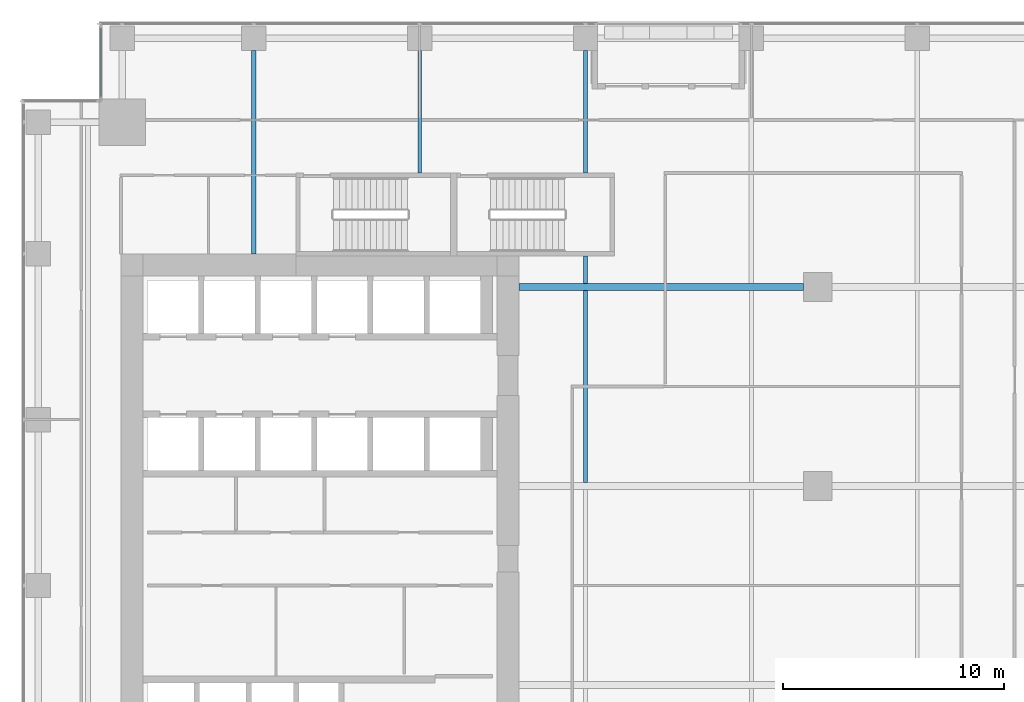
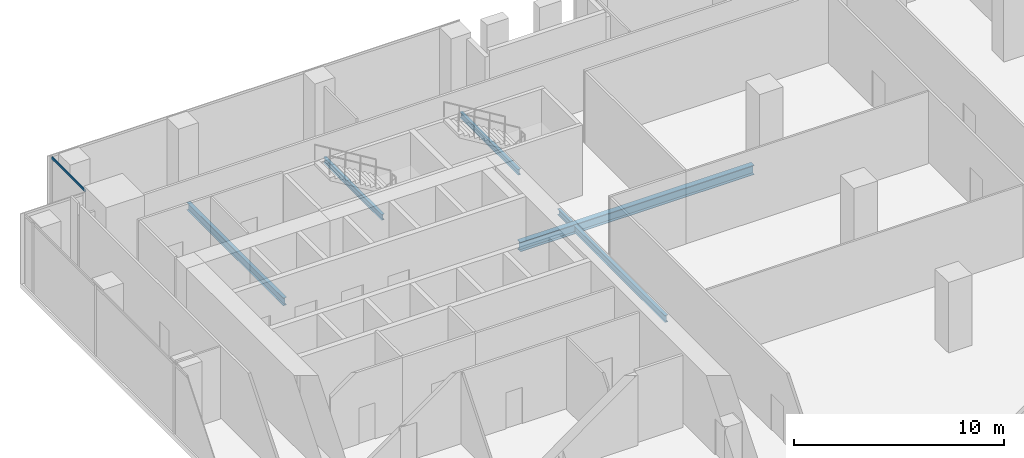
# One storey, part 15 of 33: 6 beams, 1 member, 1 element without a shape of its own.
"""IFC4 building model written with IfcOpenShell, lengths in metres."""

from ifc_helpers import new_model, si_unit, direction, frame, origin, origin_2d, place, context, subcontext, project, spatial, hollow_rectangle, i_section, extrude, source, transform, mapped, material, material_profile, profile_set, type_object, element, aggregate, save


model = new_model("IFC4")

# Units and contexts
model_context = context("Model", 3, precision=1e-05, world=origin(), true_north=direction((0.0, 1.0)))
body_context = subcontext(model_context, "Body", "Model", "MODEL_VIEW")
ifc_project = project(units=[si_unit("LENGTHUNIT", "METRE"), si_unit("AREAUNIT", "SQUARE_METRE"), si_unit("VOLUMEUNIT", "CUBIC_METRE"), si_unit("PLANEANGLEUNIT", "RADIAN"), si_unit("MASSUNIT", "GRAM", prefix="KILO")], contexts=[model_context])

# Site, building, storey
site_placement = place(None, origin())
site = spatial("IfcSite", under=ifc_project, at=site_placement, CompositionType="ELEMENT")
building_placement = place(site_placement, origin())
building = spatial("IfcBuilding", under=site, at=building_placement, Name="Khomas Fold Tower", CompositionType="ELEMENT")
storey_placement = place(building_placement, frame((0.0, 0.0, 149.89990234375)))
storey = spatial("IfcBuildingStorey", under=building, at=storey_placement, Name="L32", CompositionType="ELEMENT", Elevation=149.89990234375)

# Beams
ifc_material_1 = material(Name="Steel S355", Category="steel")
ifc_material_profile_1 = material_profile(ifc_material_1, i_section(OverallWidth=0.179931640625, OverallDepth=0.39990234375, WebThickness=0.008544921875, FlangeThickness=0.013427734375, at=origin_2d()), Name="IPE 400")
ifc_profile_set_1 = profile_set([ifc_material_profile_1], Name="Steel S355")
beam_type_1 = type_object("IfcBeamType", Name="IPE 400 beam JB3", PredefinedType="BEAM", material=ifc_profile_set_1)
shared_shape_1 = source(origin(), body_context, "Body", "SweptSolid", [
    extrude(i_section(OverallWidth=0.179931640625, OverallDepth=0.39990234375, WebThickness=0.008544921875, FlangeThickness=0.013427734375, at=origin_2d()), origin(), (0.0, 0.0, 1.0), 8.7001953125),
])
beam_1_placement = place(storey_placement, frame((27.0, 31.64990234375, -0.5), z_axis=(0.0, 1.0, 0.0), x_axis=(-1.0, 0.0, 0.0)))
element("IfcBeam", 1, at=beam_1_placement, inside=storey, type_object=beam_type_1, Name="JB3", PredefinedType="BEAM", context=body_context, shape_type="MappedRepresentation", body=[
    mapped(shared_shape_1, transform((0.0, 0.0, 0.0))),
])
ifc_material_2 = material(Name="Steel S355", Category="steel")
ifc_material_profile_2 = material_profile(ifc_material_2, i_section(OverallWidth=0.159912109375, OverallDepth=0.330078125, WebThickness=0.007568359375, FlangeThickness=0.011474609375, at=origin_2d()), Name="IPE 330")
ifc_profile_set_2 = profile_set([ifc_material_profile_2], Name="Steel S355")
beam_type_2 = type_object("IfcBeamType", Name="IPE 330 beam JB1", PredefinedType="BEAM", material=ifc_profile_set_2)
shared_shape_2 = source(origin(), body_context, "Body", "SweptSolid", [
    extrude(i_section(OverallWidth=0.159912109375, OverallDepth=0.330078125, WebThickness=0.007568359375, FlangeThickness=0.011474609375, at=origin_2d()), origin(), (0.0, 0.0, 1.0), 1.25),
])
beam_2_placement = place(storey_placement, frame((27.0, 40.64990234375, -0.46484375), z_axis=(0.0, 1.0, 0.0), x_axis=(-1.0, 0.0, 0.0)))
element("IfcBeam", 2, at=beam_2_placement, inside=storey, type_object=beam_type_2, Name="JB1", PredefinedType="BEAM", context=body_context, shape_type="MappedRepresentation", body=[
    mapped(shared_shape_2, transform((0.0, 0.0, 0.0))),
])
ifc_material_3 = material(Name="Steel S355", Category="steel")
ifc_material_profile_3 = material_profile(ifc_material_3, i_section(OverallWidth=0.300048828125, OverallDepth=0.550048828125, WebThickness=0.014892578125, FlangeThickness=0.029052734375, at=origin_2d()), Name="HE 550 B")
ifc_profile_set_3 = profile_set([ifc_material_profile_3], Name="Steel S355")
beam_type_3 = type_object("IfcBeamType", Name="HE 550 B beam GB4", PredefinedType="BEAM", material=ifc_profile_set_3)
shared_shape_3 = source(origin(), body_context, "Body", "SweptSolid", [
    extrude(i_section(OverallWidth=0.300048828125, OverallDepth=0.550048828125, WebThickness=0.014892578125, FlangeThickness=0.029052734375, at=origin_2d()), origin(), (0.0, 0.0, 1.0), 12.85009765625),
])
beam_3_placement = place(storey_placement, frame((24.0, 40.5, -0.574951171875), z_axis=(1.0, 0.0, 0.0), x_axis=(0.0, 1.0, 0.0)))
element("IfcBeam", 3, at=beam_3_placement, inside=storey, type_object=beam_type_3, Name="GB4", PredefinedType="BEAM", context=body_context, shape_type="MappedRepresentation", body=[
    mapped(shared_shape_3, transform((0.0, 0.0, 0.0))),
])
ifc_material_4 = material(Name="Steel S355", Category="steel")
ifc_material_profile_4 = material_profile(ifc_material_4, i_section(OverallWidth=0.18994140625, OverallDepth=0.449951171875, WebThickness=0.009521484375, FlangeThickness=0.0146484375, at=origin_2d()), Name="IPE 450")
ifc_profile_set_4 = profile_set([ifc_material_profile_4], Name="Steel S355")
beam_type_4 = type_object("IfcBeamType", Name="IPE 450 beam JB4", PredefinedType="BEAM", material=ifc_profile_set_4)
shared_shape_4 = source(origin(), body_context, "Body", "SweptSolid", [
    extrude(i_section(OverallWidth=0.18994140625, OverallDepth=0.449951171875, WebThickness=0.009521484375, FlangeThickness=0.0146484375, at=origin_2d()), origin(), (0.0, 0.0, 1.0), 9.199951171875),
])
beam_4_placement = place(storey_placement, frame((12.0, 42.0, -0.52490234375), z_axis=(0.0, 1.0, 0.0), x_axis=(-1.0, 0.0, 0.0)))
element("IfcBeam", 4, at=beam_4_placement, inside=storey, type_object=beam_type_4, Name="JB4", PredefinedType="BEAM", context=body_context, shape_type="MappedRepresentation", body=[
    mapped(shared_shape_4, transform((0.0, 0.0, 0.0))),
])
shared_shape_5 = source(origin(), body_context, "Body", "SweptSolid", [
    extrude(i_section(OverallWidth=0.159912109375, OverallDepth=0.330078125, WebThickness=0.007568359375, FlangeThickness=0.011474609375, at=origin_2d()), origin(), (0.0, 0.0, 1.0), 5.550048828125),
])
for number, where, z_axis, x_axis, name in (
    (5, (19.5, 45.64990234375, -0.46484375), (0.0, 1.0, 0.0), (-1.0, 0.0, 0.0), "JB1"),
    (6, (27.0, 45.64990234375, -0.46484375), (0.0, 1.0, 0.0), (-1.0, 0.0, 0.0), "JB1"),
):
    element("IfcBeam", number, at=place(storey_placement, frame(where, z_axis=z_axis, x_axis=x_axis)), inside=storey, type_object=beam_type_2, Name=name, PredefinedType="BEAM", context=body_context, shape_type="MappedRepresentation", body=[
        mapped(shared_shape_5, transform((0.0, 0.0, 0.0))),
    ])

# Curtain wall, member
ifc_material_5 = material(Name="Aluminium framed double glazing", Category="aluminium")
curtain_wall_type = type_object("IfcCurtainWallType", Name="SK-Unitised clear-glass wall, growing floors CW1", PredefinedType="NOTDEFINED", material=ifc_material_5)
curtain_wall_placement = place(storey_placement, origin())
curtain_wall = element("IfcCurtainWall", 7, at=curtain_wall_placement, inside=storey, type_object=curtain_wall_type, Name="CW1 corner return L32 07", PredefinedType="NOTDEFINED")
ifc_material_6 = material(Name="Aluminium", Category="aluminium")
ifc_material_profile_5 = material_profile(ifc_material_6, hollow_rectangle(XDim=0.06005859375, YDim=0.1201171875, WallThickness=0.00390625, at=origin_2d()), Name="SK-Unitised clear-glass wall, growing floors transom CW1-T")
ifc_profile_set_5 = profile_set([ifc_material_profile_5], Name="Aluminium")
member_type = type_object("IfcMemberType", Name="SK-Unitised clear-glass wall, growing floors transom CW1-T", PredefinedType="USERDEFINED", material=ifc_profile_set_5)
shared_shape_6 = source(origin(), body_context, "Body", "SweptSolid", [
    extrude(hollow_rectangle(XDim=0.06005859375, YDim=0.1201171875, WallThickness=0.00390625, at=origin_2d()), origin(), (0.0, 0.0, 1.0), 3.179931640625),
])
member_placement = place(storey_placement, frame((5.10009765625, 52.239990234375, 4.0400390625), z_axis=(0.0, -1.0, 0.0), x_axis=(1.0, 0.0, 0.0)))
member = element("IfcMember", 8, at=member_placement, type_object=member_type, Name="CW1 transom 1", ObjectType="TRANSOM", PredefinedType="USERDEFINED", context=body_context, shape_type="MappedRepresentation", body=[
    mapped(shared_shape_6, transform((0.0, 0.0, 0.0))),
])
aggregate(curtain_wall, [member])

save(model, "model.ifc")
